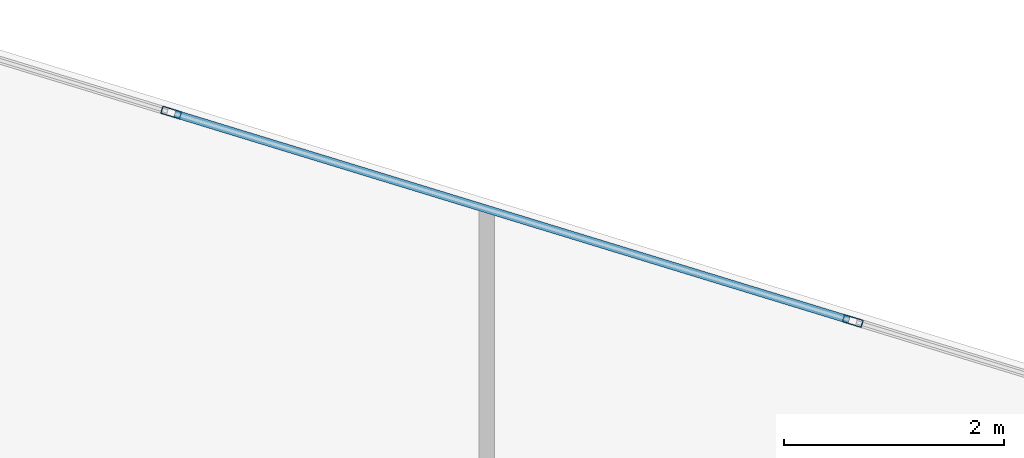
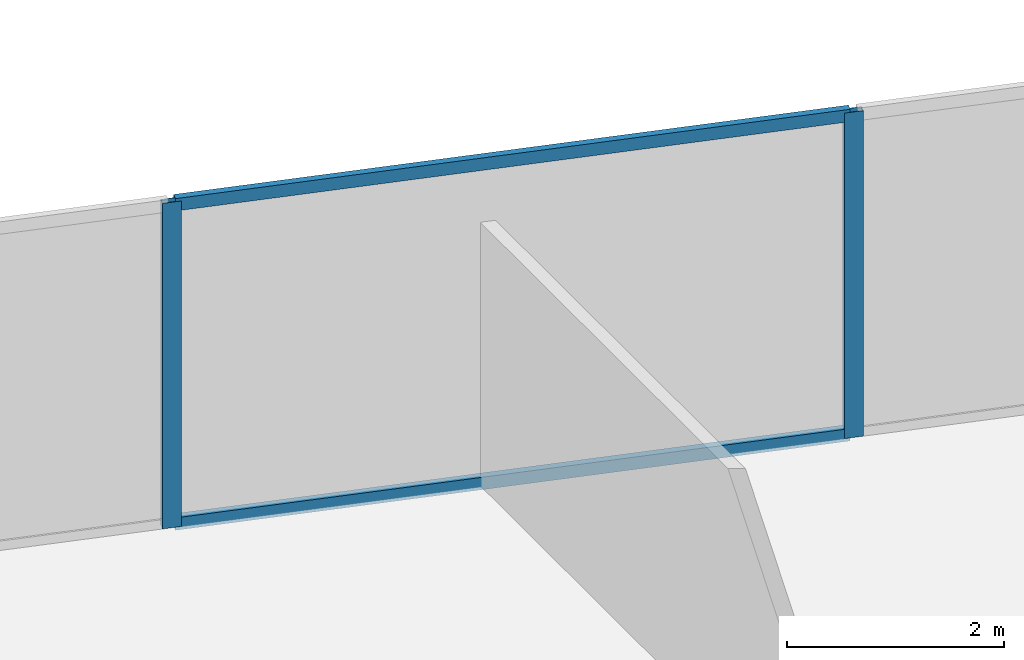
# One storey, part 20 of 26: 4 members, 1 element without a shape of its own.
"""IFC4 building model written with IfcOpenShell, lengths in metres."""

import ifcopenshell
import ifcopenshell.guid

model = None  # the IFC model being written
_history = None  # IfcOwnerHistory: only IFC2X3 demands one
_inside = {}  # id of a spatial element -> (the spatial element, [elements in it])
_under = {}  # id of a project, library or spatial element -> (it, [spatial elements below it])
_declared = {}  # id of a project -> (the project, [libraries it declares])
_typed = {}  # id of a type object -> (the type object, [elements of that type])
_made_of = {}  # id of a material, layer set ... -> (it, [elements and type objects made of it])


def new_model(schema):
    """Start an empty IFC model of exactly this schema.

    Asked for "IFC4X3", IfcOpenShell would pick the latest addendum, in which some entities
    have other attributes; the version numbers below select the first issue.
    IFC2X3 requires an IfcOwnerHistory on every rooted entity: one is made here for all.
    """
    global model, _history
    if schema == "IFC4X3":
        model = ifcopenshell.file(schema_version=(4, 3, 0, 0))
    else:
        model = ifcopenshell.file(schema=schema)
    _inside.clear()
    _under.clear()
    _declared.clear()
    _typed.clear()
    _made_of.clear()
    _history = None
    if model.schema == "IFC2X3":
        org = make("IfcOrganization", Name="unknown")
        user = make(
            "IfcPersonAndOrganization",
            ThePerson=make("IfcPerson", FamilyName="unknown"),
            TheOrganization=org,
        )
        app = make(
            "IfcApplication",
            ApplicationDeveloper=org,
            Version="unknown",
            ApplicationFullName="unknown",
            ApplicationIdentifier="unknown",
        )
        _history = make(
            "IfcOwnerHistory",
            OwningUser=user,
            OwningApplication=app,
            ChangeAction="ADDED",
            CreationDate=0,
        )
    return model


def make(cls, **values):
    """One entity of the class cls with the attributes given. An attribute that is None is left unset."""
    return model.create_entity(
        cls, **{name: value for name, value in values.items() if value is not None}
    )


def rooted(cls, **values):
    """An entity with a GlobalId (a new one), such as an element, a storey or a relation."""
    return make(cls, GlobalId=ifcopenshell.guid.new(), OwnerHistory=_history, **values)


def si_unit(unit_type, name, prefix=None):
    """IfcSIUnit, for example si_unit("LENGTHUNIT", "METRE", prefix="MILLI")."""
    return make("IfcSIUnit", UnitType=unit_type, Prefix=prefix, Name=name)


def assignment(units):
    """IfcUnitAssignment: the units of a project."""
    return None if units is None else make("IfcUnitAssignment", Units=units)


def point(xyz):
    """IfcCartesianPoint."""
    return None if xyz is None else make("IfcCartesianPoint", Coordinates=xyz)


def direction(xyz):
    """IfcDirection."""
    return None if xyz is None else make("IfcDirection", DirectionRatios=xyz)


def frame(location, z_axis=None, x_axis=None):
    """IfcAxis2Placement3D, a coordinate frame: its origin and axes. An axis left out is left unset."""
    return make(
        "IfcAxis2Placement3D",
        Location=point(location),
        Axis=direction(z_axis),
        RefDirection=direction(x_axis),
    )


def frame_2d(location, x_axis=None):
    """IfcAxis2Placement2D, a coordinate frame in the plane: its origin and x axis."""
    return make(
        "IfcAxis2Placement2D", Location=point(location), RefDirection=direction(x_axis)
    )


def origin():
    """The frame at (0, 0, 0) with its axes left unset."""
    return frame((0.0, 0.0, 0.0))


def origin_2d():
    """The frame at (0, 0) in the plane with its x axis left unset."""
    return frame_2d((0.0, 0.0))


def place(relative_to, where):
    """IfcLocalPlacement: puts the frame where relative to a parent placement (None: the world)."""
    return make(
        "IfcLocalPlacement", PlacementRelTo=relative_to, RelativePlacement=where
    )


def context(
    kind, dimensions, precision=None, world=None, true_north=None, identifier=None
):
    """IfcGeometricRepresentationContext, for example the 3D "Model" context."""
    return make(
        "IfcGeometricRepresentationContext",
        ContextIdentifier=identifier,
        ContextType=kind,
        CoordinateSpaceDimension=dimensions,
        Precision=precision,
        WorldCoordinateSystem=world,
        TrueNorth=true_north,
    )


def subcontext(parent, identifier, kind, view, scale=None):
    """IfcGeometricRepresentationSubContext, for example "Body" below "Model"."""
    return make(
        "IfcGeometricRepresentationSubContext",
        ContextIdentifier=identifier,
        ContextType=kind,
        ParentContext=parent,
        TargetScale=scale,
        TargetView=view,
    )


def project(units=None, contexts=None):
    """IfcProject with its units and contexts."""
    return rooted(
        "IfcProject",
        Name="project",
        RepresentationContexts=contexts,
        UnitsInContext=assignment(units),
    )


def spatial(cls, under=None, at=None, **own):
    """A site, building, storey or space (cls), placed at a placement, below another one or the project."""
    s = rooted(cls, ObjectPlacement=at, **own)
    if under is not None:
        _under.setdefault(under.id(), (under, []))[1].append(s)
    return s


def profile(cls, at=None, kind="AREA", **sizes):
    """A parametric profile (cls). Its sizes go by their IFC names, for example OverallWidth=200.0."""
    return make(cls, ProfileType=kind, Position=at, **sizes)


def hollow_rectangle(**sizes):
    """IfcRectangleHollowProfileDef."""
    return profile("IfcRectangleHollowProfileDef", **sizes)


def extrude(swept, where, along, depth):
    """IfcExtrudedAreaSolid: the profile swept, set in the frame where, extruded along a direction by depth."""
    return make(
        "IfcExtrudedAreaSolid",
        SweptArea=swept,
        Position=where,
        ExtrudedDirection=direction(along),
        Depth=depth,
    )


def shape(context_of_items, identifier, shape_type, items):
    """IfcShapeRepresentation: the items that make up one representation, for example the "Body"."""
    return make(
        "IfcShapeRepresentation",
        ContextOfItems=context_of_items,
        RepresentationIdentifier=identifier,
        RepresentationType=shape_type,
        Items=items,
    )


def source(mapping_origin, context_of_items, identifier, shape_type, items):
    """IfcRepresentationMap: a shape defined once, which mapped items show again and again."""
    return make(
        "IfcRepresentationMap",
        MappingOrigin=mapping_origin,
        MappedRepresentation=shape(context_of_items, identifier, shape_type, items),
    )


def transform(
    local_origin,
    x_axis=None,
    y_axis=None,
    z_axis=None,
    scale=None,
    scale2=None,
    scale3=None,
    uniform=True,
):
    """IfcCartesianTransformationOperator3D, or its non-uniform kind. x_axis, y_axis, z_axis: its Axis1, 2, 3."""
    if uniform:
        return make(
            "IfcCartesianTransformationOperator3D",
            Axis1=direction(x_axis),
            Axis2=direction(y_axis),
            LocalOrigin=point(local_origin),
            Scale=scale,
            Axis3=direction(z_axis),
        )
    return make(
        "IfcCartesianTransformationOperator3DnonUniform",
        Axis1=direction(x_axis),
        Axis2=direction(y_axis),
        LocalOrigin=point(local_origin),
        Scale=scale,
        Axis3=direction(z_axis),
        Scale2=scale2,
        Scale3=scale3,
    )


def mapped(mapping_source, mapping_target):
    """IfcMappedItem: shows the shape of a source again, moved by a transform."""
    return make(
        "IfcMappedItem", MappingSource=mapping_source, MappingTarget=mapping_target
    )


def material(Name=None, Category=None):
    """IfcMaterial."""
    return make("IfcMaterial", Name=Name, Category=Category)


def material_profile(
    of_material, cross_section, Name=None, Category=None, Priority=None
):
    """IfcMaterialProfile: a cross section and its material."""
    return make(
        "IfcMaterialProfile",
        Name=Name,
        Material=of_material,
        Profile=cross_section,
        Priority=Priority,
        Category=Category,
    )


def profile_set(profiles, Name=None, composite=None):
    """IfcMaterialProfileSet."""
    return make(
        "IfcMaterialProfileSet",
        Name=Name,
        MaterialProfiles=profiles,
        CompositeProfile=composite,
    )


def made_of(thing, what):
    """Note that an element or type object is made of a material, layer set ...; save() writes the relation."""
    if what is not None:
        _made_of.setdefault(what.id(), (what, []))[1].append(thing)
    return thing


def type_object(cls, material=None, **own):
    """A type object (cls), such as IfcWallType, which elements share."""
    return made_of(rooted(cls, **own), material)


def type_shapes(of_type, sources):
    """Give a type object the sources (RepresentationMaps) that its elements show as mapped items."""
    of_type.RepresentationMaps = sources


def element(
    cls,
    number,
    at=None,
    inside=None,
    cuts=None,
    type_object=None,
    material=None,
    context=None,
    identifier="Body",
    shape_type=None,
    held_by="IfcProductDefinitionShape",
    body=None,
    shapes=None,
    **own,
):
    """One element of the class cls, such as IfcWall. Its Tag is "e" and its number.

    at: its placement. inside: the storey or other place that contains it. cuts: it is an
    opening in that element (IfcRelVoidsElement). A single representation is given by context,
    identifier, shape_type and body (its items); several are given by shapes. held_by: the class
    of the entity that holds the representations. save() writes the other relations.
    """
    e = rooted(cls, Tag="e%d" % number, ObjectPlacement=at, **own)
    if body is not None:
        shapes = [shape(context, identifier, shape_type, body)]
    if shapes is not None:
        e.Representation = make(held_by, Representations=shapes)
    if inside is not None:
        _inside.setdefault(inside.id(), (inside, []))[1].append(e)
    if cuts is not None:
        rooted(
            "IfcRelVoidsElement", RelatingBuildingElement=cuts, RelatedOpeningElement=e
        )
    if type_object is not None:
        _typed.setdefault(type_object.id(), (type_object, []))[1].append(e)
    return made_of(e, material)


def aggregate(whole, parts):
    """IfcRelAggregates: a whole, such as a stair, and the parts it consists of."""
    return rooted("IfcRelAggregates", RelatingObject=whole, RelatedObjects=parts)


def save(model, path):
    """Write the relations noted so far, then the file.

    IfcRelAggregates (storeys below a building ...), IfcRelContainedInSpatialStructure (elements
    in a storey), IfcRelDefinesByType, IfcRelAssociatesMaterial and IfcRelDeclares: one each for
    every whole, place, type object, material and project.
    """
    for whole, parts in _under.values():
        aggregate(whole, parts)
    for where, things in _inside.values():
        rooted(
            "IfcRelContainedInSpatialStructure",
            RelatedElements=things,
            RelatingStructure=where,
        )
    for kind, things in _typed.values():
        rooted("IfcRelDefinesByType", RelatedObjects=things, RelatingType=kind)
    for what, things in _made_of.values():
        rooted("IfcRelAssociatesMaterial", RelatedObjects=things, RelatingMaterial=what)
    for by, libraries in _declared.values():
        rooted("IfcRelDeclares", RelatingContext=by, RelatedDefinitions=libraries)
    model.write(path)


model = new_model("IFC4")

# Units and contexts
model_context = context("Model", 3, precision=1e-05, world=origin(), true_north=direction((0.0, 1.0)))
body_context = subcontext(model_context, "Body", "Model", "MODEL_VIEW")
ifc_project = project(units=[si_unit("LENGTHUNIT", "METRE"), si_unit("AREAUNIT", "SQUARE_METRE"), si_unit("VOLUMEUNIT", "CUBIC_METRE"), si_unit("PLANEANGLEUNIT", "RADIAN"), si_unit("MASSUNIT", "GRAM", prefix="KILO")], contexts=[model_context])

# Site, building, storey
site_placement = place(None, origin())
site = spatial("IfcSite", under=ifc_project, at=site_placement, CompositionType="ELEMENT")
building_placement = place(site_placement, origin())
building = spatial("IfcBuilding", under=site, at=building_placement, Name="Krantzveldt Concourse Tower", CompositionType="ELEMENT")
storey_placement = place(building_placement, frame((0.0, 0.0, 109.800048828125)))
storey = spatial("IfcBuildingStorey", under=building, at=storey_placement, Name="L26", CompositionType="ELEMENT", Elevation=109.800048828125)

# Curtain wall, members
ifc_material = material(Name="Anodised aluminium 6063-T6", Category="aluminium")
curtain_wall_type = type_object("IfcCurtainWallType", Name="CW2", PredefinedType="USERDEFINED", material=ifc_material)
curtain_wall_placement = place(storey_placement, origin())
curtain_wall = element("IfcCurtainWall", 1, at=curtain_wall_placement, inside=storey, type_object=curtain_wall_type, Name="CW-L26-F10", ObjectType="UNITISED CURTAIN WALL", PredefinedType="USERDEFINED")
ifc_material_profile_1 = material_profile(ifc_material, hollow_rectangle(XDim=0.070068359375, YDim=0.179931640625, WallThickness=0.0048828125, at=origin_2d()), Name="Anodised aluminium 6063-T6", Category="aluminium")
ifc_profile_set_1 = profile_set([ifc_material_profile_1], Name="Anodised aluminium 6063-T6 - ALU-MULL 180x70x5")
member_type_1 = type_object("IfcMemberType", Name="CW-MUL-180", PredefinedType="MULLION", material=ifc_profile_set_1)
shared_shape_1 = source(origin(), body_context, "Body", "SweptSolid", [
    extrude(hollow_rectangle(XDim=0.070068359375, YDim=0.179931640625, WallThickness=0.0048828125, at=origin_2d()), origin(), (0.0, 0.0, 1.0), 3.669921875),
])
type_shapes(member_type_1, [shared_shape_1])
member_1_placement = place(storey_placement, frame((48.999267578125, 47.100830078125, 0.0), z_axis=(0.0, 0.0, 1.0), x_axis=(-0.292371686864, -0.956304761423, 0.0)))
member_1 = element("IfcMember", 2, at=member_1_placement, type_object=member_type_1, Name="CW-Z12 mullion 3", PredefinedType="MULLION", context=body_context, shape_type="MappedRepresentation", body=[
    mapped(shared_shape_1, transform((0.0, 0.0, 0.0), x_axis=(1.0, 0.0, 0.0), y_axis=(0.0, 1.0, 0.0), z_axis=(0.0, 0.0, 1.0), scale=1.0)),
])
member_2_placement = place(storey_placement, frame((42.815185546875, 48.991455078125, 0.0), z_axis=(0.0, 0.0, 1.0), x_axis=(-0.292371686864, -0.956304761423, 0.0)))
member_2 = element("IfcMember", 3, at=member_2_placement, type_object=member_type_1, Name="CW-Z12 mullion 4", PredefinedType="MULLION", context=body_context, shape_type="MappedRepresentation", body=[
    mapped(shared_shape_1, transform((0.0, 0.0, 0.0), x_axis=(1.0, 0.0, 0.0), y_axis=(0.0, 1.0, 0.0), z_axis=(0.0, 0.0, 1.0), scale=1.0)),
])
ifc_material_profile_2 = material_profile(ifc_material, hollow_rectangle(XDim=0.070068359375, YDim=0.139892578125, WallThickness=0.0048828125, at=origin_2d()), Name="Anodised aluminium 6063-T6", Category="aluminium")
ifc_profile_set_2 = profile_set([ifc_material_profile_2], Name="Anodised aluminium 6063-T6 - ALU-TRAN 140x70x5")
member_type_2 = type_object("IfcMemberType", Name="CW-TRN-150", PredefinedType="USERDEFINED", material=ifc_profile_set_2)
shared_shape_2 = source(origin(), body_context, "Body", "SweptSolid", [
    extrude(hollow_rectangle(XDim=0.070068359375, YDim=0.139892578125, WallThickness=0.0048828125, at=origin_2d()), origin(), (0.0, 0.0, 1.0), 6.396728515625),
])
type_shapes(member_type_2, [shared_shape_2])
member_3_placement = place(storey_placement, frame((48.9658203125, 47.111083984375, 0.034912109375), z_axis=(-0.956308895855, 0.292358163404, 0.0), x_axis=(-0.292358163404, -0.956308895855, 0.0)))
member_3 = element("IfcMember", 4, at=member_3_placement, type_object=member_type_2, Name="CW-Z12 transom 3.1", ObjectType="TRANSOM", PredefinedType="USERDEFINED", context=body_context, shape_type="MappedRepresentation", body=[
    mapped(shared_shape_2, transform((0.0, 0.0, 0.0), x_axis=(1.0, 0.0, 0.0), y_axis=(0.0, 1.0, 0.0), z_axis=(0.0, 0.0, 1.0), scale=1.0)),
])
member_4_placement = place(storey_placement, frame((48.9658203125, 47.111083984375, 3.635009765625), z_axis=(-0.956308895855, 0.292358163404, 0.0), x_axis=(-0.292358163404, -0.956308895855, 0.0)))
member_4 = element("IfcMember", 5, at=member_4_placement, type_object=member_type_2, Name="CW-Z12 transom 3.2", ObjectType="TRANSOM", PredefinedType="USERDEFINED", context=body_context, shape_type="MappedRepresentation", body=[
    mapped(shared_shape_2, transform((0.0, 0.0, 0.0), x_axis=(1.0, 0.0, 0.0), y_axis=(0.0, 1.0, 0.0), z_axis=(0.0, 0.0, 1.0), scale=1.0)),
])
aggregate(curtain_wall, [member_1, member_2, member_3, member_4])

save(model, "model.ifc")
